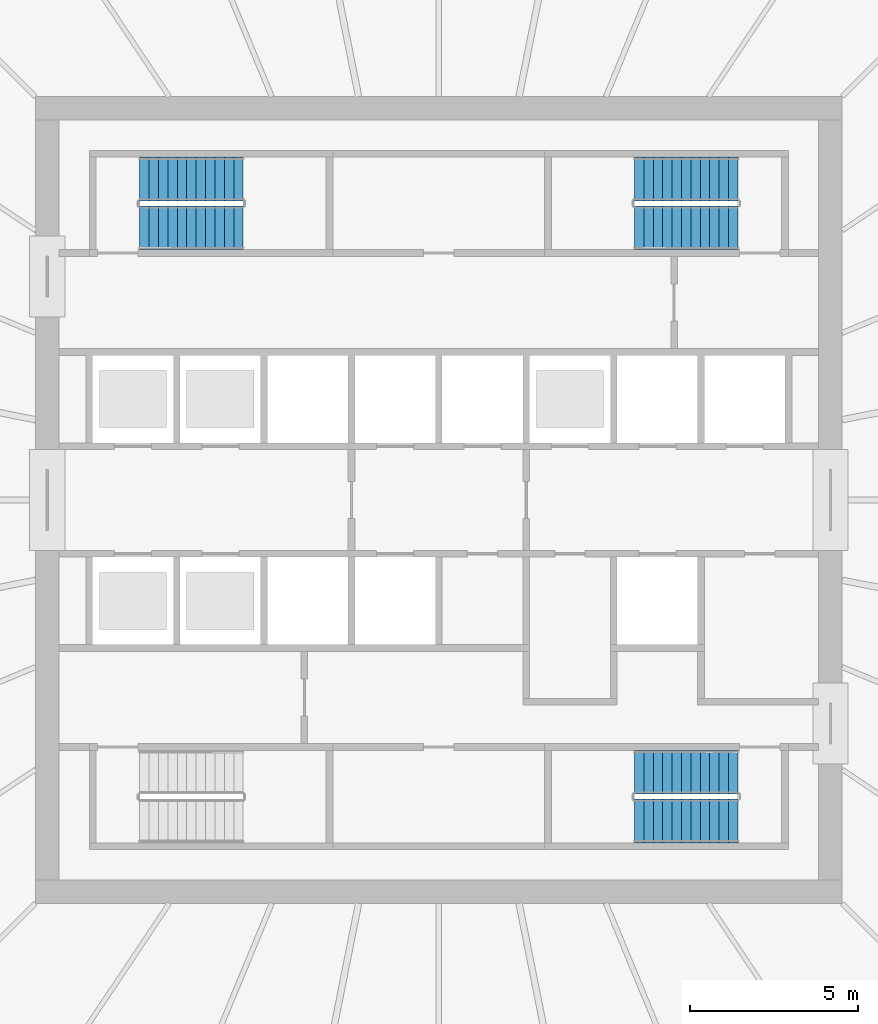
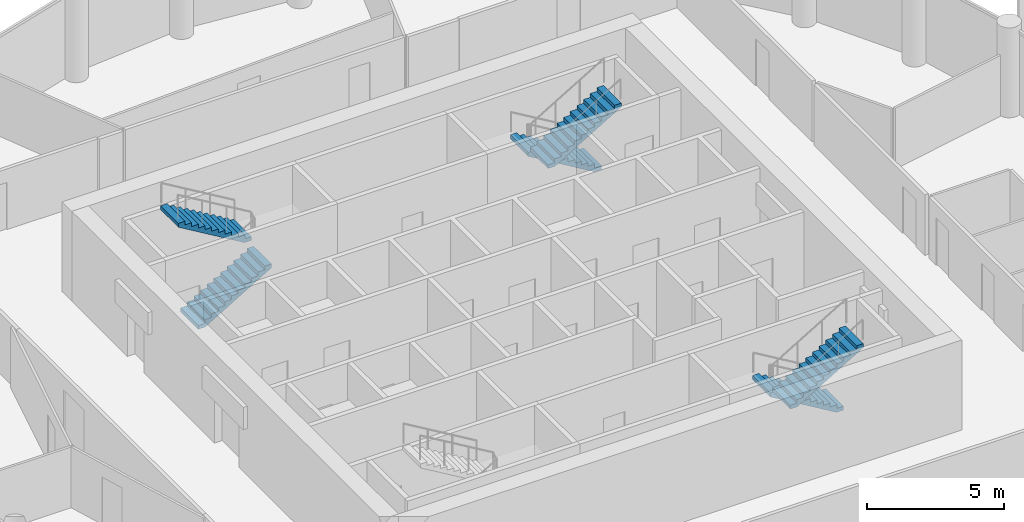
# One storey, part 7 of 9: 6 stair flights, 3 elements without a shape of their own.
"""IFC4 building model written with IfcOpenShell, lengths in metres."""

from ifc_helpers import new_model, si_unit, direction, frame, origin, place, context, subcontext, project, spatial, polyline, outline, extrude, material, type_object, element, aggregate, save


model = new_model("IFC4")

# Units and contexts
model_context = context("Model", 3, precision=1e-05, world=origin(), true_north=direction((0.0, 1.0)))
body_context = subcontext(model_context, "Body", "Model", "MODEL_VIEW")
ifc_project = project(units=[si_unit("LENGTHUNIT", "METRE"), si_unit("AREAUNIT", "SQUARE_METRE"), si_unit("VOLUMEUNIT", "CUBIC_METRE"), si_unit("PLANEANGLEUNIT", "RADIAN"), si_unit("MASSUNIT", "GRAM", prefix="KILO")], contexts=[model_context])

# Site, building, storey
site_placement = place(None, origin())
site = spatial("IfcSite", under=ifc_project, at=site_placement, CompositionType="ELEMENT")
building_placement = place(site_placement, origin())
building = spatial("IfcBuilding", under=site, at=building_placement, Name="Corvane Civic Tower", CompositionType="ELEMENT")
storey_placement = place(building_placement, frame((0.0, 0.0, 263.0)))
storey = spatial("IfcBuildingStorey", under=building, at=storey_placement, Name="L62", CompositionType="ELEMENT", Elevation=263.0)

# Stair, stair flights
ifc_material_1 = material(Name="Concrete C40/50", Category="concrete")
stair_type = type_object("IfcStairType", Name="ST-STAIR-HALFTURN", PredefinedType="HALF_TURN_STAIR", material=ifc_material_1)
stair_1_placement = place(storey_placement, origin())
stair_1 = element("IfcStair", 1, at=stair_1_placement, inside=storey, type_object=stair_type, Name="L62 Exit stair ST1", PredefinedType="HALF_TURN_STAIR")
ifc_material_2 = material(Name="Concrete C40/50", Category="concrete")
stair_flight_type = type_object("IfcStairFlightType", Name="ST-FLIGHT-RC", PredefinedType="STRAIGHT", material=ifc_material_2)
stair_flight_1_placement = place(storey_placement, frame((8.89990234375, 9.550048828125, 0.0), z_axis=(0.0, 0.0, 1.0), x_axis=(-1.0, 0.0, 0.0)))
stair_flight_1 = element("IfcStairFlight", 2, at=stair_flight_1_placement, type_object=stair_flight_type, Name="ST1 flight 1", NumberOfRisers=12, NumberOfTreads=11, PredefinedType="STRAIGHT", RiserHeight=0.166666667, TreadLength=0.28, context=body_context, shape_type="SweptSolid", body=[
    extrude(outline(polyline([(0.0, 0.0), (0.0, 0.166748046875), (0.280029296875, 0.166748046875), (0.280029296875, 0.333251953125), (0.56005859375, 0.333251953125), (0.56005859375, 0.5), (0.840087890625, 0.5), (0.840087890625, 0.666748046875), (1.1201171875, 0.666748046875), (1.1201171875, 0.833251953125), (1.39990234375, 0.833251953125), (1.39990234375, 1.0), (1.679931640625, 1.0), (1.679931640625, 1.166748046875), (1.9599609375, 1.166748046875), (1.9599609375, 1.333251953125), (2.239990234375, 1.333251953125), (2.239990234375, 1.5), (2.52001953125, 1.5), (2.52001953125, 1.666748046875), (2.800048828125, 1.666748046875), (2.800048828125, 1.833251953125), (3.080078125, 1.833251953125), (3.080078125, 2.0), (3.080078125, 1.658935546875), (0.29296875, 0.0), (0.0, 0.0)])), frame((0.0, 0.64990234375, 0.0), z_axis=(0.0, -1.0, 0.0), x_axis=(1.0, 0.0, 0.0)), (0.0, 0.0, 1.0), 1.300048828125),
])
stair_flight_2_placement = place(storey_placement, frame((5.820068359375, 8.10009765625, 2.0), z_axis=(0.0, 0.0, 1.0), x_axis=(1.0, 0.0, 0.0)))
stair_flight_2 = element("IfcStairFlight", 3, at=stair_flight_2_placement, type_object=stair_flight_type, Name="ST1 flight 2", NumberOfRisers=12, NumberOfTreads=11, PredefinedType="STRAIGHT", RiserHeight=0.166666667, TreadLength=0.28, context=body_context, shape_type="SweptSolid", body=[
    extrude(outline(polyline([(0.0, 0.0), (0.0, 0.166748046875), (0.280029296875, 0.166748046875), (0.280029296875, 0.333251953125), (0.56005859375, 0.333251953125), (0.56005859375, 0.5), (0.840087890625, 0.5), (0.840087890625, 0.666748046875), (1.1201171875, 0.666748046875), (1.1201171875, 0.833251953125), (1.39990234375, 0.833251953125), (1.39990234375, 1.0), (1.679931640625, 1.0), (1.679931640625, 1.166748046875), (1.9599609375, 1.166748046875), (1.9599609375, 1.333251953125), (2.239990234375, 1.333251953125), (2.239990234375, 1.5), (2.52001953125, 1.5), (2.52001953125, 1.666748046875), (2.800048828125, 1.666748046875), (2.800048828125, 1.833251953125), (3.080078125, 1.833251953125), (3.080078125, 2.0), (3.080078125, 1.658935546875), (0.29296875, 0.0), (0.0, 0.0)])), frame((0.0, 0.64990234375, 0.0), z_axis=(0.0, -1.0, 0.0), x_axis=(1.0, 0.0, 0.0)), (0.0, 0.0, 1.0), 1.300048828125),
])
aggregate(stair_1, [stair_flight_1, stair_flight_2])

stair_2_placement = place(storey_placement, origin())
stair_2 = element("IfcStair", 4, at=stair_2_placement, inside=storey, type_object=stair_type, Name="L62 Exit stair ST2", PredefinedType="HALF_TURN_STAIR")
stair_flight_3_placement = place(storey_placement, frame((8.89990234375, -8.10009765625, 0.0), z_axis=(0.0, 0.0, 1.0), x_axis=(-1.0, 0.0, 0.0)))
stair_flight_3 = element("IfcStairFlight", 5, at=stair_flight_3_placement, type_object=stair_flight_type, Name="ST2 flight 1", NumberOfRisers=12, NumberOfTreads=11, PredefinedType="STRAIGHT", RiserHeight=0.166666667, TreadLength=0.28, context=body_context, shape_type="SweptSolid", body=[
    extrude(outline(polyline([(0.0, 0.0), (0.0, 0.166748046875), (0.280029296875, 0.166748046875), (0.280029296875, 0.333251953125), (0.56005859375, 0.333251953125), (0.56005859375, 0.5), (0.840087890625, 0.5), (0.840087890625, 0.666748046875), (1.1201171875, 0.666748046875), (1.1201171875, 0.833251953125), (1.39990234375, 0.833251953125), (1.39990234375, 1.0), (1.679931640625, 1.0), (1.679931640625, 1.166748046875), (1.9599609375, 1.166748046875), (1.9599609375, 1.333251953125), (2.239990234375, 1.333251953125), (2.239990234375, 1.5), (2.52001953125, 1.5), (2.52001953125, 1.666748046875), (2.800048828125, 1.666748046875), (2.800048828125, 1.833251953125), (3.080078125, 1.833251953125), (3.080078125, 2.0), (3.080078125, 1.658935546875), (0.29296875, 0.0), (0.0, 0.0)])), frame((0.0, 0.64990234375, 0.0), z_axis=(0.0, -1.0, 0.0), x_axis=(1.0, 0.0, 0.0)), (0.0, 0.0, 1.0), 1.300048828125),
])
stair_flight_4_placement = place(storey_placement, frame((5.820068359375, -9.550048828125, 2.0), z_axis=(0.0, 0.0, 1.0), x_axis=(1.0, 0.0, 0.0)))
stair_flight_4 = element("IfcStairFlight", 6, at=stair_flight_4_placement, type_object=stair_flight_type, Name="ST2 flight 2", NumberOfRisers=12, NumberOfTreads=11, PredefinedType="STRAIGHT", RiserHeight=0.166666667, TreadLength=0.28, context=body_context, shape_type="SweptSolid", body=[
    extrude(outline(polyline([(0.0, 0.0), (0.0, 0.166748046875), (0.280029296875, 0.166748046875), (0.280029296875, 0.333251953125), (0.56005859375, 0.333251953125), (0.56005859375, 0.5), (0.840087890625, 0.5), (0.840087890625, 0.666748046875), (1.1201171875, 0.666748046875), (1.1201171875, 0.833251953125), (1.39990234375, 0.833251953125), (1.39990234375, 1.0), (1.679931640625, 1.0), (1.679931640625, 1.166748046875), (1.9599609375, 1.166748046875), (1.9599609375, 1.333251953125), (2.239990234375, 1.333251953125), (2.239990234375, 1.5), (2.52001953125, 1.5), (2.52001953125, 1.666748046875), (2.800048828125, 1.666748046875), (2.800048828125, 1.833251953125), (3.080078125, 1.833251953125), (3.080078125, 2.0), (3.080078125, 1.658935546875), (0.29296875, 0.0), (0.0, 0.0)])), frame((0.0, 0.64990234375, 0.0), z_axis=(0.0, -1.0, 0.0), x_axis=(1.0, 0.0, 0.0)), (0.0, 0.0, 1.0), 1.300048828125),
])
aggregate(stair_2, [stair_flight_3, stair_flight_4])

stair_3_placement = place(storey_placement, origin())
stair_3 = element("IfcStair", 7, at=stair_3_placement, inside=storey, type_object=stair_type, Name="L62 Exit stair ST4", PredefinedType="HALF_TURN_STAIR")
stair_flight_5_placement = place(storey_placement, frame((-8.89990234375, 8.10009765625, 0.0), z_axis=(0.0, 0.0, 1.0), x_axis=(1.0, 0.0, 0.0)))
stair_flight_5 = element("IfcStairFlight", 8, at=stair_flight_5_placement, type_object=stair_flight_type, Name="ST4 flight 1", NumberOfRisers=12, NumberOfTreads=11, PredefinedType="STRAIGHT", RiserHeight=0.166666667, TreadLength=0.28, context=body_context, shape_type="SweptSolid", body=[
    extrude(outline(polyline([(0.0, 0.0), (0.0, 0.166748046875), (0.280029296875, 0.166748046875), (0.280029296875, 0.333251953125), (0.56005859375, 0.333251953125), (0.56005859375, 0.5), (0.840087890625, 0.5), (0.840087890625, 0.666748046875), (1.1201171875, 0.666748046875), (1.1201171875, 0.833251953125), (1.39990234375, 0.833251953125), (1.39990234375, 1.0), (1.679931640625, 1.0), (1.679931640625, 1.166748046875), (1.9599609375, 1.166748046875), (1.9599609375, 1.333251953125), (2.239990234375, 1.333251953125), (2.239990234375, 1.5), (2.52001953125, 1.5), (2.52001953125, 1.666748046875), (2.800048828125, 1.666748046875), (2.800048828125, 1.833251953125), (3.080078125, 1.833251953125), (3.080078125, 2.0), (3.080078125, 1.658935546875), (0.29296875, 0.0), (0.0, 0.0)])), frame((0.0, 0.64990234375, 0.0), z_axis=(0.0, -1.0, 0.0), x_axis=(1.0, 0.0, 0.0)), (0.0, 0.0, 1.0), 1.300048828125),
])
stair_flight_6_placement = place(storey_placement, frame((-5.820068359375, 9.550048828125, 2.0), z_axis=(0.0, 0.0, 1.0), x_axis=(-1.0, 0.0, 0.0)))
stair_flight_6 = element("IfcStairFlight", 9, at=stair_flight_6_placement, type_object=stair_flight_type, Name="ST4 flight 2", NumberOfRisers=12, NumberOfTreads=11, PredefinedType="STRAIGHT", RiserHeight=0.166666667, TreadLength=0.28, context=body_context, shape_type="SweptSolid", body=[
    extrude(outline(polyline([(0.0, 0.0), (0.0, 0.166748046875), (0.280029296875, 0.166748046875), (0.280029296875, 0.333251953125), (0.56005859375, 0.333251953125), (0.56005859375, 0.5), (0.840087890625, 0.5), (0.840087890625, 0.666748046875), (1.1201171875, 0.666748046875), (1.1201171875, 0.833251953125), (1.39990234375, 0.833251953125), (1.39990234375, 1.0), (1.679931640625, 1.0), (1.679931640625, 1.166748046875), (1.9599609375, 1.166748046875), (1.9599609375, 1.333251953125), (2.239990234375, 1.333251953125), (2.239990234375, 1.5), (2.52001953125, 1.5), (2.52001953125, 1.666748046875), (2.800048828125, 1.666748046875), (2.800048828125, 1.833251953125), (3.080078125, 1.833251953125), (3.080078125, 2.0), (3.080078125, 1.658935546875), (0.29296875, 0.0), (0.0, 0.0)])), frame((0.0, 0.64990234375, 0.0), z_axis=(0.0, -1.0, 0.0), x_axis=(1.0, 0.0, 0.0)), (0.0, 0.0, 1.0), 1.300048828125),
])
aggregate(stair_3, [stair_flight_5, stair_flight_6])

save(model, "model.ifc")
